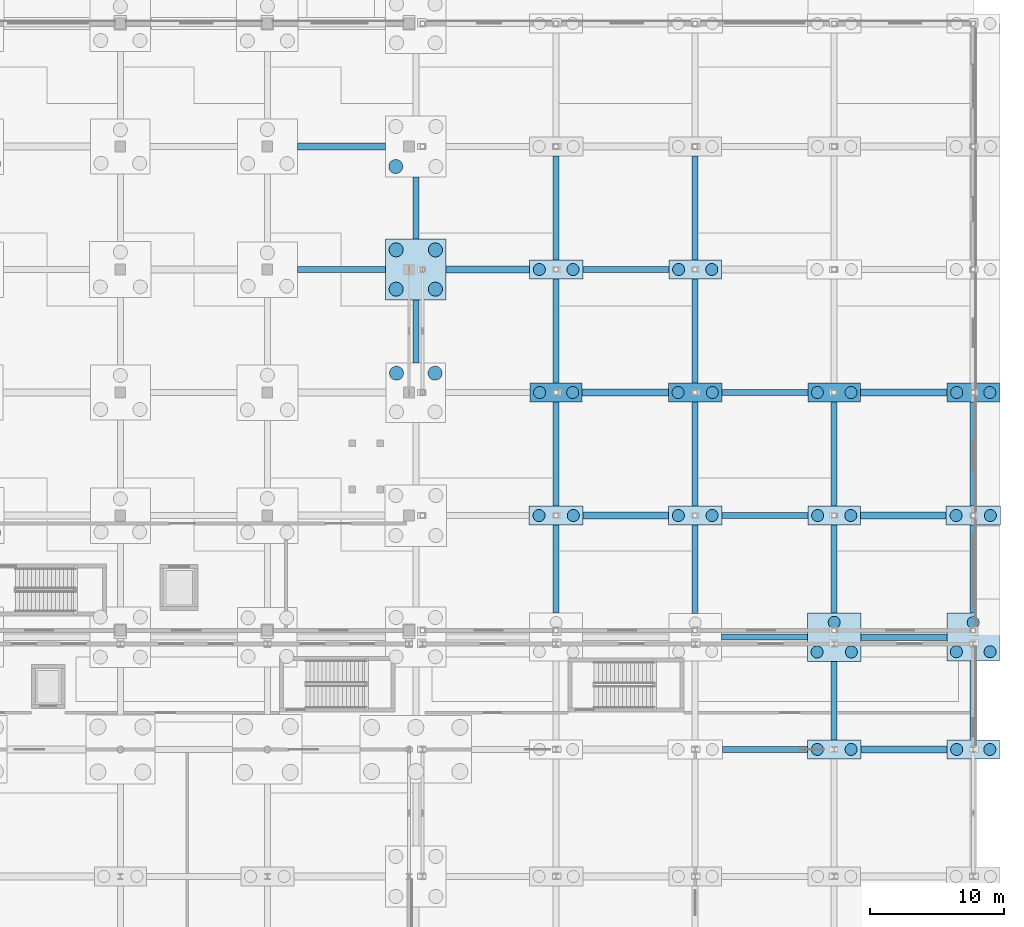
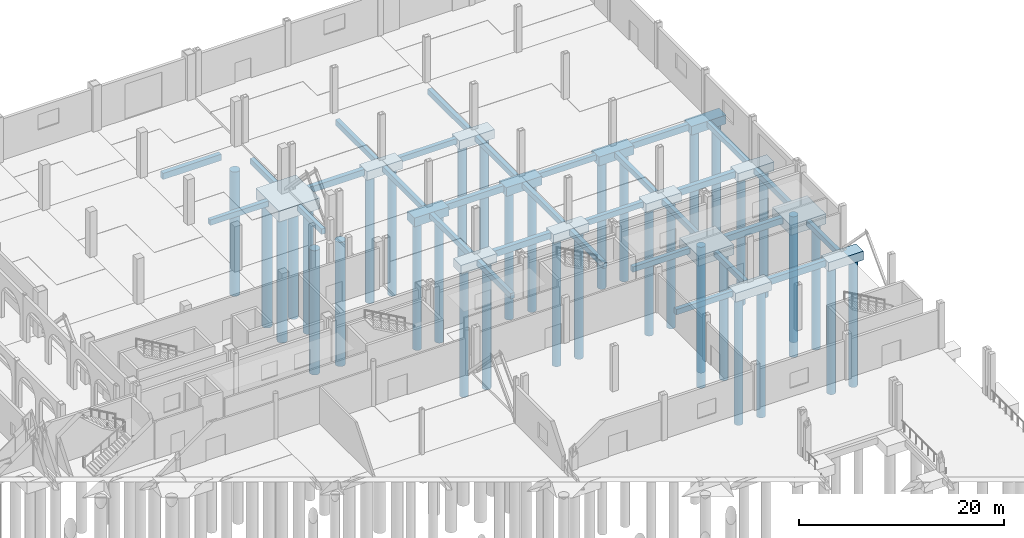
# One storey, part 13 of 83: 45 footings, 37 piles.
"""IFC4 building model written with IfcOpenShell, lengths in metres."""

from ifc_helpers import new_model, si_unit, direction, frame, origin, origin_2d, place, context, subcontext, project, spatial, polyline, circle, outline, extrude, material, material_profile, profile_set, type_object, element, save


model = new_model("IFC4")

# Units and contexts
model_context = context("Model", 3, precision=1e-05, world=origin(), true_north=direction((0.0, 1.0)))
body_context = subcontext(model_context, "Body", "Model", "MODEL_VIEW")
ifc_project = project(units=[si_unit("LENGTHUNIT", "METRE"), si_unit("AREAUNIT", "SQUARE_METRE"), si_unit("VOLUMEUNIT", "CUBIC_METRE"), si_unit("PLANEANGLEUNIT", "RADIAN"), si_unit("MASSUNIT", "GRAM", prefix="KILO")], contexts=[model_context])

# Site, building, storey
site_placement = place(None, origin())
site = spatial("IfcSite", under=ifc_project, at=site_placement, CompositionType="ELEMENT")
building_placement = place(site_placement, origin())
building = spatial("IfcBuilding", under=site, at=building_placement, Name="Caurita Quay Ferry Terminal", CompositionType="ELEMENT")
storey_placement = place(building_placement, origin())
storey = spatial("IfcBuildingStorey", under=building, at=storey_placement, Name="L00", CompositionType="ELEMENT", Elevation=0.0)

# Footings
ifc_material = material(Name="Marine reinforced concrete C40/50", Category="concrete")
footing_type_1 = type_object("IfcFootingType", Name="FTG-BM-01", PredefinedType="FOOTING_BEAM", material=ifc_material)
footing_1_placement = place(storey_placement, frame((0.0, 0.0, -1.14990234375)))
element("IfcFooting", 1, at=footing_1_placement, inside=storey, type_object=footing_type_1, Name="Seismic Tie Footing Beam FB-X-089", PredefinedType="FOOTING_BEAM", context=body_context, shape_type="SweptSolid", body=[
    extrude(outline(polyline([(165.60009765625, 62.449951171875), (172.02490234375, 62.449951171875), (172.02490234375, 62.949951171875), (165.60009765625, 62.949951171875), (165.60009765625, 62.449951171875)])), origin(), (0.0, 0.0, 1.0), 0.75),
])
footing_2_placement = place(storey_placement, frame((0.0, 0.0, -1.14990234375)))
element("IfcFooting", 2, at=footing_2_placement, inside=storey, type_object=footing_type_1, Name="Seismic Tie Footing Beam FB-X-105", PredefinedType="FOOTING_BEAM", context=body_context, shape_type="SweptSolid", body=[
    extrude(outline(polyline([(165.60009765625, 70.85009765625), (172.02490234375, 70.85009765625), (172.02490234375, 71.35009765625), (165.60009765625, 71.35009765625), (165.60009765625, 70.85009765625)])), origin(), (0.0, 0.0, 1.0), 0.75),
])
footing_3_placement = place(storey_placement, frame((0.0, 0.0, -1.14990234375)))
element("IfcFooting", 3, at=footing_3_placement, inside=storey, type_object=footing_type_1, Name="Seismic Tie Footing Beam FB-X-121", PredefinedType="FOOTING_BEAM", context=body_context, shape_type="SweptSolid", body=[
    extrude(outline(polyline([(144.824951171875, 79.949951171875), (151.199951171875, 79.949951171875), (151.199951171875, 80.449951171875), (144.824951171875, 80.449951171875), (144.824951171875, 79.949951171875)])), origin(), (0.0, 0.0, 1.0), 0.75),
])
footing_4_placement = place(storey_placement, frame((0.0, 0.0, -1.14990234375)))
element("IfcFooting", 4, at=footing_4_placement, inside=storey, type_object=footing_type_1, Name="Seismic Tie Footing Beam FB-X-123", PredefinedType="FOOTING_BEAM", context=body_context, shape_type="SweptSolid", body=[
    extrude(outline(polyline([(165.574951171875, 79.949951171875), (171.97509765625, 79.949951171875), (171.97509765625, 80.449951171875), (165.574951171875, 80.449951171875), (165.574951171875, 79.949951171875)])), origin(), (0.0, 0.0, 1.0), 0.75),
])
footing_5_placement = place(storey_placement, frame((0.0, 0.0, -1.14990234375)))
element("IfcFooting", 5, at=footing_5_placement, inside=storey, type_object=footing_type_1, Name="Seismic Tie Footing Beam FB-X-135", PredefinedType="FOOTING_BEAM", context=body_context, shape_type="SweptSolid", body=[
    extrude(outline(polyline([(144.75, 89.14990234375), (151.199951171875, 89.14990234375), (151.199951171875, 89.64990234375), (144.75, 89.64990234375), (144.75, 89.14990234375)])), origin(), (0.0, 0.0, 1.0), 0.75),
])
footing_6_placement = place(storey_placement, frame((0.0, 0.0, -1.14990234375)))
element("IfcFooting", 6, at=footing_6_placement, inside=storey, type_object=footing_type_1, Name="Seismic Tie Footing Beam FB-X-137", PredefinedType="FOOTING_BEAM", context=body_context, shape_type="SweptSolid", body=[
    extrude(outline(polyline([(165.574951171875, 89.14990234375), (172.050048828125, 89.14990234375), (172.050048828125, 89.64990234375), (165.574951171875, 89.64990234375), (165.574951171875, 89.14990234375)])), origin(), (0.0, 0.0, 1.0), 0.75),
])
footing_7_placement = place(storey_placement, frame((0.0, 0.0, -1.14990234375)))
element("IfcFooting", 7, at=footing_7_placement, inside=storey, type_object=footing_type_1, Name="Seismic Tie Footing Beam FB-X-147", PredefinedType="FOOTING_BEAM", context=body_context, shape_type="SweptSolid", body=[
    extrude(outline(polyline([(134.574951171875, 98.35009765625), (140.800048828125, 98.35009765625), (140.800048828125, 98.85009765625), (134.574951171875, 98.85009765625), (134.574951171875, 98.35009765625)])), origin(), (0.0, 0.0, 1.0), 0.75),
])
footing_8_placement = place(storey_placement, frame((0.0, 0.0, -1.14990234375)))
element("IfcFooting", 8, at=footing_8_placement, inside=storey, type_object=footing_type_1, Name="Seismic Tie Footing Beam FB-X-163", PredefinedType="FOOTING_BEAM", context=body_context, shape_type="SweptSolid", body=[
    extrude(outline(polyline([(123.449951171875, 107.550048828125), (130.02490234375, 107.550048828125), (130.02490234375, 108.050048828125), (123.449951171875, 108.050048828125), (123.449951171875, 107.550048828125)])), origin(), (0.0, 0.0, 1.0), 0.75),
])
footing_type_2 = type_object("IfcFootingType", Name="FTG-BM-02", PredefinedType="FOOTING_BEAM", material=ifc_material)
footing_9_placement = place(storey_placement, frame((0.0, 0.0, -1.050048828125)))
element("IfcFooting", 9, at=footing_9_placement, inside=storey, type_object=footing_type_2, Name="Seismic Tie Footing Beam FB-X-088", PredefinedType="FOOTING_BEAM", context=body_context, shape_type="SweptSolid", body=[
    extrude(outline(polyline([(155.22509765625, 62.47509765625), (161.60009765625, 62.47509765625), (161.60009765625, 62.925048828125), (155.22509765625, 62.925048828125), (155.22509765625, 62.47509765625)])), origin(), (0.0, 0.0, 1.0), 0.650146484375),
])
footing_10_placement = place(storey_placement, frame((0.0, 0.0, -1.050048828125)))
element("IfcFooting", 10, at=footing_10_placement, inside=storey, type_object=footing_type_2, Name="Seismic Tie Footing Beam FB-X-104", PredefinedType="FOOTING_BEAM", context=body_context, shape_type="SweptSolid", body=[
    extrude(outline(polyline([(155.14990234375, 70.875), (161.60009765625, 70.875), (161.60009765625, 71.324951171875), (155.14990234375, 71.324951171875), (155.14990234375, 70.875)])), origin(), (0.0, 0.0, 1.0), 0.650146484375),
])
footing_11_placement = place(storey_placement, frame((0.0, 0.0, -1.050048828125)))
element("IfcFooting", 11, at=footing_11_placement, inside=storey, type_object=footing_type_2, Name="Seismic Tie Footing Beam FB-X-122", PredefinedType="FOOTING_BEAM", context=body_context, shape_type="SweptSolid", body=[
    extrude(outline(polyline([(155.199951171875, 79.97509765625), (161.625, 79.97509765625), (161.625, 80.425048828125), (155.199951171875, 80.425048828125), (155.199951171875, 79.97509765625)])), origin(), (0.0, 0.0, 1.0), 0.650146484375),
])
footing_12_placement = place(storey_placement, frame((0.0, 0.0, -1.050048828125)))
element("IfcFooting", 12, at=footing_12_placement, inside=storey, type_object=footing_type_2, Name="Seismic Tie Footing Beam FB-X-136", PredefinedType="FOOTING_BEAM", context=body_context, shape_type="SweptSolid", body=[
    extrude(outline(polyline([(155.199951171875, 89.175048828125), (161.625, 89.175048828125), (161.625, 89.625), (155.199951171875, 89.625), (155.199951171875, 89.175048828125)])), origin(), (0.0, 0.0, 1.0), 0.650146484375),
])
footing_13_placement = place(storey_placement, frame((0.0, 0.0, -1.050048828125)))
element("IfcFooting", 13, at=footing_13_placement, inside=storey, type_object=footing_type_2, Name="Seismic Tie Footing Beam FB-X-146", PredefinedType="FOOTING_BEAM", context=body_context, shape_type="SweptSolid", body=[
    extrude(outline(polyline([(123.449951171875, 98.375), (130.02490234375, 98.375), (130.02490234375, 98.824951171875), (123.449951171875, 98.824951171875), (123.449951171875, 98.375)])), origin(), (0.0, 0.0, 1.0), 0.650146484375),
])
footing_14_placement = place(storey_placement, frame((0.0, 0.0, -1.050048828125)))
element("IfcFooting", 14, at=footing_14_placement, inside=storey, type_object=footing_type_2, Name="Seismic Tie Footing Beam FB-X-148", PredefinedType="FOOTING_BEAM", context=body_context, shape_type="SweptSolid", body=[
    extrude(outline(polyline([(144.800048828125, 98.375), (151.22509765625, 98.375), (151.22509765625, 98.824951171875), (144.800048828125, 98.824951171875), (144.800048828125, 98.375)])), origin(), (0.0, 0.0, 1.0), 0.650146484375),
])
footing_15_placement = place(storey_placement, frame((0.0, 0.0, -1.050048828125)))
element("IfcFooting", 15, at=footing_15_placement, inside=storey, type_object=footing_type_2, Name="Seismic Tie Footing Beam FB-Y-311", PredefinedType="FOOTING_BEAM", context=body_context, shape_type="SweptSolid", body=[
    extrude(outline(polyline([(132.074951171875, 91.625), (132.52490234375, 91.625), (132.52490234375, 96.324951171875), (132.074951171875, 96.324951171875), (132.074951171875, 91.625)])), origin(), (0.0, 0.0, 1.0), 0.650146484375),
])
footing_16_placement = place(storey_placement, frame((0.0, 0.0, -1.050048828125)))
element("IfcFooting", 16, at=footing_16_placement, inside=storey, type_object=footing_type_2, Name="Seismic Tie Footing Beam FB-Y-312", PredefinedType="FOOTING_BEAM", context=body_context, shape_type="SweptSolid", body=[
    extrude(outline(polyline([(132.074951171875, 100.875), (132.52490234375, 100.875), (132.52490234375, 105.52490234375), (132.074951171875, 105.52490234375), (132.074951171875, 100.875)])), origin(), (0.0, 0.0, 1.0), 0.650146484375),
])
footing_17_placement = place(storey_placement, frame((0.0, 0.0, -1.050048828125)))
element("IfcFooting", 17, at=footing_17_placement, inside=storey, type_object=footing_type_2, Name="Seismic Tie Footing Beam FB-Y-325", PredefinedType="FOOTING_BEAM", context=body_context, shape_type="SweptSolid", body=[
    extrude(outline(polyline([(142.574951171875, 72.89990234375), (143.02490234375, 72.89990234375), (143.02490234375, 79.47509765625), (142.574951171875, 79.47509765625), (142.574951171875, 72.89990234375)])), origin(), (0.0, 0.0, 1.0), 0.650146484375),
])
footing_18_placement = place(storey_placement, frame((0.0, 0.0, -1.050048828125)))
element("IfcFooting", 18, at=footing_18_placement, inside=storey, type_object=footing_type_2, Name="Seismic Tie Footing Beam FB-Y-326", PredefinedType="FOOTING_BEAM", context=body_context, shape_type="SweptSolid", body=[
    extrude(outline(polyline([(142.574951171875, 80.925048828125), (143.02490234375, 80.925048828125), (143.02490234375, 88.699951171875), (142.574951171875, 88.699951171875), (142.574951171875, 80.925048828125)])), origin(), (0.0, 0.0, 1.0), 0.650146484375),
])
footing_19_placement = place(storey_placement, frame((0.0, 0.0, -1.050048828125)))
element("IfcFooting", 19, at=footing_19_placement, inside=storey, type_object=footing_type_2, Name="Seismic Tie Footing Beam FB-Y-327", PredefinedType="FOOTING_BEAM", context=body_context, shape_type="SweptSolid", body=[
    extrude(outline(polyline([(142.574951171875, 90.10009765625), (143.02490234375, 90.10009765625), (143.02490234375, 97.875), (142.574951171875, 97.875), (142.574951171875, 90.10009765625)])), origin(), (0.0, 0.0, 1.0), 0.650146484375),
])
footing_20_placement = place(storey_placement, frame((0.0, 0.0, -1.050048828125)))
element("IfcFooting", 20, at=footing_20_placement, inside=storey, type_object=footing_type_2, Name="Seismic Tie Footing Beam FB-Y-328", PredefinedType="FOOTING_BEAM", context=body_context, shape_type="SweptSolid", body=[
    extrude(outline(polyline([(142.574951171875, 99.324951171875), (143.02490234375, 99.324951171875), (143.02490234375, 107.10009765625), (142.574951171875, 107.10009765625), (142.574951171875, 99.324951171875)])), origin(), (0.0, 0.0, 1.0), 0.650146484375),
])
footing_21_placement = place(storey_placement, frame((0.0, 0.0, -1.050048828125)))
element("IfcFooting", 21, at=footing_21_placement, inside=storey, type_object=footing_type_2, Name="Seismic Tie Footing Beam FB-Y-338", PredefinedType="FOOTING_BEAM", context=body_context, shape_type="SweptSolid", body=[
    extrude(outline(polyline([(152.97509765625, 72.875), (153.425048828125, 72.875), (153.425048828125, 79.47509765625), (152.97509765625, 79.47509765625), (152.97509765625, 72.875)])), origin(), (0.0, 0.0, 1.0), 0.650146484375),
])
footing_22_placement = place(storey_placement, frame((0.0, 0.0, -1.050048828125)))
element("IfcFooting", 22, at=footing_22_placement, inside=storey, type_object=footing_type_2, Name="Seismic Tie Footing Beam FB-Y-339", PredefinedType="FOOTING_BEAM", context=body_context, shape_type="SweptSolid", body=[
    extrude(outline(polyline([(152.97509765625, 80.925048828125), (153.425048828125, 80.925048828125), (153.425048828125, 88.699951171875), (152.97509765625, 88.699951171875), (152.97509765625, 80.925048828125)])), origin(), (0.0, 0.0, 1.0), 0.650146484375),
])
footing_23_placement = place(storey_placement, frame((0.0, 0.0, -1.050048828125)))
element("IfcFooting", 23, at=footing_23_placement, inside=storey, type_object=footing_type_2, Name="Seismic Tie Footing Beam FB-Y-340", PredefinedType="FOOTING_BEAM", context=body_context, shape_type="SweptSolid", body=[
    extrude(outline(polyline([(152.97509765625, 90.10009765625), (153.425048828125, 90.10009765625), (153.425048828125, 97.875), (152.97509765625, 97.875), (152.97509765625, 90.10009765625)])), origin(), (0.0, 0.0, 1.0), 0.650146484375),
])
footing_24_placement = place(storey_placement, frame((0.0, 0.0, -1.050048828125)))
element("IfcFooting", 24, at=footing_24_placement, inside=storey, type_object=footing_type_2, Name="Seismic Tie Footing Beam FB-Y-341", PredefinedType="FOOTING_BEAM", context=body_context, shape_type="SweptSolid", body=[
    extrude(outline(polyline([(152.97509765625, 99.324951171875), (153.425048828125, 99.324951171875), (153.425048828125, 107.10009765625), (152.97509765625, 107.10009765625), (152.97509765625, 99.324951171875)])), origin(), (0.0, 0.0, 1.0), 0.650146484375),
])
footing_25_placement = place(storey_placement, frame((0.0, 0.0, -1.050048828125)))
element("IfcFooting", 25, at=footing_25_placement, inside=storey, type_object=footing_type_2, Name="Seismic Tie Footing Beam FB-Y-350", PredefinedType="FOOTING_BEAM", context=body_context, shape_type="SweptSolid", body=[
    extrude(outline(polyline([(163.375, 63.425048828125), (163.824951171875, 63.425048828125), (163.824951171875, 69.27490234375), (163.375, 69.27490234375), (163.375, 63.425048828125)])), origin(), (0.0, 0.0, 1.0), 0.650146484375),
])
footing_26_placement = place(storey_placement, frame((0.0, 0.0, -1.050048828125)))
element("IfcFooting", 26, at=footing_26_placement, inside=storey, type_object=footing_type_2, Name="Seismic Tie Footing Beam FB-Y-351", PredefinedType="FOOTING_BEAM", context=body_context, shape_type="SweptSolid", body=[
    extrude(outline(polyline([(163.375, 72.925048828125), (163.824951171875, 72.925048828125), (163.824951171875, 79.47509765625), (163.375, 79.47509765625), (163.375, 72.925048828125)])), origin(), (0.0, 0.0, 1.0), 0.650146484375),
])
footing_27_placement = place(storey_placement, frame((0.0, 0.0, -1.050048828125)))
element("IfcFooting", 27, at=footing_27_placement, inside=storey, type_object=footing_type_2, Name="Seismic Tie Footing Beam FB-Y-352", PredefinedType="FOOTING_BEAM", context=body_context, shape_type="SweptSolid", body=[
    extrude(outline(polyline([(163.375, 80.925048828125), (163.824951171875, 80.925048828125), (163.824951171875, 88.699951171875), (163.375, 88.699951171875), (163.375, 80.925048828125)])), origin(), (0.0, 0.0, 1.0), 0.650146484375),
])
footing_28_placement = place(storey_placement, frame((0.0, 0.0, -1.050048828125)))
element("IfcFooting", 28, at=footing_28_placement, inside=storey, type_object=footing_type_2, Name="Seismic Tie Footing Beam FB-Y-363", PredefinedType="FOOTING_BEAM", context=body_context, shape_type="SweptSolid", body=[
    extrude(outline(polyline([(173.77490234375, 63.425048828125), (174.22509765625, 63.425048828125), (174.22509765625, 69.300048828125), (173.77490234375, 69.300048828125), (173.77490234375, 63.425048828125)])), origin(), (0.0, 0.0, 1.0), 0.650146484375),
])
footing_29_placement = place(storey_placement, frame((0.0, 0.0, -1.050048828125)))
element("IfcFooting", 29, at=footing_29_placement, inside=storey, type_object=footing_type_2, Name="Seismic Tie Footing Beam FB-Y-364", PredefinedType="FOOTING_BEAM", context=body_context, shape_type="SweptSolid", body=[
    extrude(outline(polyline([(173.77490234375, 72.89990234375), (174.22509765625, 72.89990234375), (174.22509765625, 79.47509765625), (173.77490234375, 79.47509765625), (173.77490234375, 72.89990234375)])), origin(), (0.0, 0.0, 1.0), 0.650146484375),
])
footing_30_placement = place(storey_placement, frame((0.0, 0.0, -1.050048828125)))
element("IfcFooting", 30, at=footing_30_placement, inside=storey, type_object=footing_type_2, Name="Seismic Tie Footing Beam FB-Y-365", PredefinedType="FOOTING_BEAM", context=body_context, shape_type="SweptSolid", body=[
    extrude(outline(polyline([(173.77490234375, 80.925048828125), (174.22509765625, 80.925048828125), (174.22509765625, 88.699951171875), (173.77490234375, 88.699951171875), (173.77490234375, 80.925048828125)])), origin(), (0.0, 0.0, 1.0), 0.650146484375),
])
footing_type_3 = type_object("IfcFootingType", Name="FTG-PC-08", PredefinedType="PILE_CAP", material=ifc_material)
footing_31_placement = place(storey_placement, frame((0.0, 0.0, -1.699951171875)))
element("IfcFooting", 31, at=footing_31_placement, inside=storey, type_object=footing_type_3, Name="Pile Cap PC-122", PredefinedType="PILE_CAP", context=body_context, shape_type="SweptSolid", body=[
    extrude(outline(polyline([(130.02490234375, 96.324951171875), (134.574951171875, 96.324951171875), (134.574951171875, 100.875), (130.02490234375, 100.875), (130.02490234375, 96.324951171875)])), origin(), (0.0, 0.0, 1.0), 1.300048828125),
])
footing_type_4 = type_object("IfcFootingType", Name="FTG-PC-12", PredefinedType="PILE_CAP", material=ifc_material)
footing_32_placement = place(storey_placement, frame((0.0, 0.0, -1.449951171875)))
element("IfcFooting", 32, at=footing_32_placement, inside=storey, type_object=footing_type_4, Name="Pile Cap PC-138", PredefinedType="PILE_CAP", context=body_context, shape_type="SweptSolid", body=[
    extrude(outline(polyline([(140.77490234375, 79.47509765625), (144.824951171875, 79.47509765625), (144.824951171875, 80.925048828125), (140.77490234375, 80.925048828125), (140.77490234375, 79.47509765625)])), origin(), (0.0, 0.0, 1.0), 1.050048828125),
])
footing_33_placement = place(storey_placement, frame((0.0, 0.0, -1.449951171875)))
element("IfcFooting", 33, at=footing_33_placement, inside=storey, type_object=footing_type_4, Name="Pile Cap PC-180", PredefinedType="PILE_CAP", context=body_context, shape_type="SweptSolid", body=[
    extrude(outline(polyline([(171.97509765625, 79.47509765625), (176.02490234375, 79.47509765625), (176.02490234375, 80.925048828125), (171.97509765625, 80.925048828125), (171.97509765625, 79.47509765625)])), origin(), (0.0, 0.0, 1.0), 1.050048828125),
])
footing_type_5 = type_object("IfcFootingType", Name="FTG-PC-13", PredefinedType="PILE_CAP", material=ifc_material)
footing_34_placement = place(storey_placement, frame((0.0, 0.0, -1.449951171875)))
element("IfcFooting", 34, at=footing_34_placement, inside=storey, type_object=footing_type_5, Name="Pile Cap PC-139", PredefinedType="PILE_CAP", context=body_context, shape_type="SweptSolid", body=[
    extrude(outline(polyline([(140.85009765625, 88.699951171875), (144.75, 88.699951171875), (144.75, 90.10009765625), (140.85009765625, 90.10009765625), (140.85009765625, 88.699951171875)])), origin(), (0.0, 0.0, 1.0), 1.050048828125),
])
footing_35_placement = place(storey_placement, frame((0.0, 0.0, -1.449951171875)))
element("IfcFooting", 35, at=footing_35_placement, inside=storey, type_object=footing_type_5, Name="Pile Cap PC-181", PredefinedType="PILE_CAP", context=body_context, shape_type="SweptSolid", body=[
    extrude(outline(polyline([(172.050048828125, 88.699951171875), (175.949951171875, 88.699951171875), (175.949951171875, 90.10009765625), (172.050048828125, 90.10009765625), (172.050048828125, 88.699951171875)])), origin(), (0.0, 0.0, 1.0), 1.050048828125),
])
footing_type_6 = type_object("IfcFootingType", Name="FTG-PC-18", PredefinedType="PILE_CAP", material=ifc_material)
footing_36_placement = place(storey_placement, frame((0.0, 0.0, -1.449951171875)))
element("IfcFooting", 36, at=footing_36_placement, inside=storey, type_object=footing_type_6, Name="Pile Cap PC-154", PredefinedType="PILE_CAP", context=body_context, shape_type="SweptSolid", body=[
    extrude(outline(polyline([(151.22509765625, 97.875), (155.175048828125, 97.875), (155.175048828125, 99.324951171875), (151.22509765625, 99.324951171875), (151.22509765625, 97.875)])), origin(), (0.0, 0.0, 1.0), 1.050048828125),
])
footing_37_placement = place(storey_placement, frame((0.0, 0.0, -1.449951171875)))
element("IfcFooting", 37, at=footing_37_placement, inside=storey, type_object=footing_type_6, Name="Pile Cap PC-166", PredefinedType="PILE_CAP", context=body_context, shape_type="SweptSolid", body=[
    extrude(outline(polyline([(161.625, 79.47509765625), (165.574951171875, 79.47509765625), (165.574951171875, 80.925048828125), (161.625, 80.925048828125), (161.625, 79.47509765625)])), origin(), (0.0, 0.0, 1.0), 1.050048828125),
])
footing_38_placement = place(storey_placement, frame((0.0, 0.0, -1.449951171875)))
element("IfcFooting", 38, at=footing_38_placement, inside=storey, type_object=footing_type_6, Name="Pile Cap PC-178", PredefinedType="PILE_CAP", context=body_context, shape_type="SweptSolid", body=[
    extrude(outline(polyline([(172.02490234375, 61.97509765625), (175.97509765625, 61.97509765625), (175.97509765625, 63.425048828125), (172.02490234375, 63.425048828125), (172.02490234375, 61.97509765625)])), origin(), (0.0, 0.0, 1.0), 1.050048828125),
])
footing_type_7 = type_object("IfcFootingType", Name="FTG-PC-19", PredefinedType="PILE_CAP", material=ifc_material)
footing_39_placement = place(storey_placement, frame((0.0, 0.0, -1.449951171875)))
element("IfcFooting", 39, at=footing_39_placement, inside=storey, type_object=footing_type_7, Name="Pile Cap PC-167", PredefinedType="PILE_CAP", context=body_context, shape_type="SweptSolid", body=[
    extrude(outline(polyline([(161.625, 88.699951171875), (165.574951171875, 88.699951171875), (165.574951171875, 90.10009765625), (161.625, 90.10009765625), (161.625, 88.699951171875)])), origin(), (0.0, 0.0, 1.0), 1.050048828125),
])
footing_type_8 = type_object("IfcFootingType", Name="FTG-PC-22", PredefinedType="PILE_CAP", material=ifc_material)
footing_40_placement = place(storey_placement, frame((0.0, 0.0, -1.449951171875)))
element("IfcFooting", 40, at=footing_40_placement, inside=storey, type_object=footing_type_8, Name="Pile Cap PC-140", PredefinedType="PILE_CAP", context=body_context, shape_type="SweptSolid", body=[
    extrude(outline(polyline([(140.800048828125, 97.875), (144.800048828125, 97.875), (144.800048828125, 99.324951171875), (140.800048828125, 99.324951171875), (140.800048828125, 97.875)])), origin(), (0.0, 0.0, 1.0), 1.050048828125),
])
footing_41_placement = place(storey_placement, frame((0.0, 0.0, -1.449951171875)))
element("IfcFooting", 41, at=footing_41_placement, inside=storey, type_object=footing_type_8, Name="Pile Cap PC-152", PredefinedType="PILE_CAP", context=body_context, shape_type="SweptSolid", body=[
    extrude(outline(polyline([(151.199951171875, 79.47509765625), (155.199951171875, 79.47509765625), (155.199951171875, 80.925048828125), (151.199951171875, 80.925048828125), (151.199951171875, 79.47509765625)])), origin(), (0.0, 0.0, 1.0), 1.050048828125),
])
footing_42_placement = place(storey_placement, frame((0.0, 0.0, -1.449951171875)))
element("IfcFooting", 42, at=footing_42_placement, inside=storey, type_object=footing_type_8, Name="Pile Cap PC-164", PredefinedType="PILE_CAP", context=body_context, shape_type="SweptSolid", body=[
    extrude(outline(polyline([(161.60009765625, 61.97509765625), (165.60009765625, 61.97509765625), (165.60009765625, 63.425048828125), (161.60009765625, 63.425048828125), (161.60009765625, 61.97509765625)])), origin(), (0.0, 0.0, 1.0), 1.050048828125),
])
footing_type_9 = type_object("IfcFootingType", Name="FTG-PC-23", PredefinedType="PILE_CAP", material=ifc_material)
footing_43_placement = place(storey_placement, frame((0.0, 0.0, -1.449951171875)))
element("IfcFooting", 43, at=footing_43_placement, inside=storey, type_object=footing_type_9, Name="Pile Cap PC-153", PredefinedType="PILE_CAP", context=body_context, shape_type="SweptSolid", body=[
    extrude(outline(polyline([(151.199951171875, 88.699951171875), (155.199951171875, 88.699951171875), (155.199951171875, 90.10009765625), (151.199951171875, 90.10009765625), (151.199951171875, 88.699951171875)])), origin(), (0.0, 0.0, 1.0), 1.050048828125),
])
footing_type_10 = type_object("IfcFootingType", Name="FTG-PC-38", PredefinedType="PILE_CAP", material=ifc_material)
footing_44_placement = place(storey_placement, frame((0.0, 0.0, -1.60009765625)))
element("IfcFooting", 44, at=footing_44_placement, inside=storey, type_object=footing_type_10, Name="Pile Cap PC-179", PredefinedType="PILE_CAP", context=body_context, shape_type="SweptSolid", body=[
    extrude(outline(polyline([(172.02490234375, 69.300048828125), (175.97509765625, 69.300048828125), (175.97509765625, 72.89990234375), (172.02490234375, 72.89990234375), (172.02490234375, 69.300048828125)])), origin(), (0.0, 0.0, 1.0), 1.2001953125),
])
footing_type_11 = type_object("IfcFootingType", Name="FTG-PC-40", PredefinedType="PILE_CAP", material=ifc_material)
footing_45_placement = place(storey_placement, frame((0.0, 0.0, -1.60009765625)))
element("IfcFooting", 45, at=footing_45_placement, inside=storey, type_object=footing_type_11, Name="Pile Cap PC-165", PredefinedType="PILE_CAP", context=body_context, shape_type="SweptSolid", body=[
    extrude(outline(polyline([(161.60009765625, 69.27490234375), (165.60009765625, 69.27490234375), (165.60009765625, 72.925048828125), (161.60009765625, 72.925048828125), (161.60009765625, 69.27490234375)])), origin(), (0.0, 0.0, 1.0), 1.2001953125),
])

# Piles
ifc_material_profile_1 = material_profile(ifc_material, circle(Radius=0.52490234375, at=origin_2d()), Name="PILE-D1050")
ifc_profile_set_1 = profile_set([ifc_material_profile_1], Name="Marine reinforced concrete C40/50")
pile_type_1 = type_object("IfcPileType", Name="TYPE-PL-1050", PredefinedType="BORED", material=ifc_profile_set_1)
for number, where, z_axis, x_axis, name in (
    (46, (130.85595703125, 90.843994140625, -1.699951171875), (0.0, 0.0, -1.0), (1.0, 0.0, 0.0), "Bored Marine Pile PC-121-P3"),
    (47, (133.743896484375, 90.843994140625, -1.699951171875), (0.0, 0.0, -1.0), (1.0, 0.0, 0.0), "Bored Marine Pile PC-121-P4"),
):
    element("IfcPile", number, at=place(storey_placement, frame(where, z_axis=z_axis, x_axis=x_axis)), inside=storey, type_object=pile_type_1, Name=name, PredefinedType="BORED", context=body_context, shape_type="SweptSolid", body=[
        extrude(circle(Radius=0.52490234375, at=origin_2d()), origin(), (0.0, 0.0, 1.0), 14.800048828125),
    ])
for number, where, z_axis, x_axis, name in (
    (48, (130.830078125, 97.1298828125, -1.60009765625), (0.0, 0.0, -1.0), (1.0, 0.0, 0.0), "Bored Marine Pile PC-122-P1"),
    (49, (133.77001953125, 97.1298828125, -1.60009765625), (0.0, 0.0, -1.0), (1.0, 0.0, 0.0), "Bored Marine Pile PC-122-P2"),
    (50, (130.830078125, 100.070068359375, -1.60009765625), (0.0, 0.0, -1.0), (1.0, 0.0, 0.0), "Bored Marine Pile PC-122-P3"),
    (51, (133.77001953125, 100.070068359375, -1.60009765625), (0.0, 0.0, -1.0), (1.0, 0.0, 0.0), "Bored Marine Pile PC-122-P4"),
):
    element("IfcPile", number, at=place(storey_placement, frame(where, z_axis=z_axis, x_axis=x_axis)), inside=storey, type_object=pile_type_1, Name=name, PredefinedType="BORED", context=body_context, shape_type="SweptSolid", body=[
        extrude(circle(Radius=0.52490234375, at=origin_2d()), origin(), (0.0, 0.0, 1.0), 14.89990234375),
    ])
pile_placement = place(storey_placement, frame((130.803955078125, 106.302978515625, -1.699951171875), z_axis=(0.0, 0.0, -1.0), x_axis=(1.0, 0.0, 0.0)))
element("IfcPile", 52, at=pile_placement, inside=storey, type_object=pile_type_1, Name="Bored Marine Pile PC-123-P1", PredefinedType="BORED", context=body_context, shape_type="SweptSolid", body=[
    extrude(circle(Radius=0.52490234375, at=origin_2d()), origin(), (0.0, 0.0, 1.0), 14.800048828125),
])
ifc_material_profile_2 = material_profile(ifc_material, circle(Radius=0.449951171875, at=origin_2d()), Name="PILE-D900")
ifc_profile_set_2 = profile_set([ifc_material_profile_2], Name="Marine reinforced concrete C40/50")
pile_type_2 = type_object("IfcPileType", Name="TYPE-PL-900", PredefinedType="BORED", material=ifc_profile_set_2)
for number, where, z_axis, x_axis, name in (
    (53, (141.51806640625, 80.199951171875, -1.35009765625), (0.0, 0.0, -1.0), (1.0, 0.0, 0.0), "Bored Marine Pile PC-138-P1"),
    (54, (144.0830078125, 80.199951171875, -1.35009765625), (0.0, 0.0, -1.0), (1.0, 0.0, 0.0), "Bored Marine Pile PC-138-P2"),
    (55, (141.56201171875, 89.39990234375, -1.35009765625), (0.0, 0.0, -1.0), (1.0, 0.0, 0.0), "Bored Marine Pile PC-139-P1"),
    (56, (144.0380859375, 89.39990234375, -1.35009765625), (0.0, 0.0, -1.0), (1.0, 0.0, 0.0), "Bored Marine Pile PC-139-P2"),
    (57, (141.5400390625, 98.60009765625, -1.35009765625), (0.0, 0.0, -1.0), (1.0, 0.0, 0.0), "Bored Marine Pile PC-140-P1"),
    (58, (144.06005859375, 98.60009765625, -1.35009765625), (0.0, 0.0, -1.0), (1.0, 0.0, 0.0), "Bored Marine Pile PC-140-P2"),
    (59, (151.93994140625, 80.199951171875, -1.35009765625), (0.0, 0.0, -1.0), (1.0, 0.0, 0.0), "Bored Marine Pile PC-152-P1"),
    (60, (154.4599609375, 80.199951171875, -1.35009765625), (0.0, 0.0, -1.0), (1.0, 0.0, 0.0), "Bored Marine Pile PC-152-P2"),
    (61, (151.9169921875, 89.39990234375, -1.35009765625), (0.0, 0.0, -1.0), (1.0, 0.0, 0.0), "Bored Marine Pile PC-153-P1"),
    (62, (154.48193359375, 89.39990234375, -1.35009765625), (0.0, 0.0, -1.0), (1.0, 0.0, 0.0), "Bored Marine Pile PC-153-P2"),
    (63, (151.9619140625, 98.60009765625, -1.35009765625), (0.0, 0.0, -1.0), (1.0, 0.0, 0.0), "Bored Marine Pile PC-154-P1"),
    (64, (154.43798828125, 98.60009765625, -1.35009765625), (0.0, 0.0, -1.0), (1.0, 0.0, 0.0), "Bored Marine Pile PC-154-P2"),
    (65, (162.340087890625, 62.699951171875, -1.35009765625), (0.0, 0.0, -1.0), (1.0, 0.0, 0.0), "Bored Marine Pile PC-164-P1"),
    (66, (164.860107421875, 62.699951171875, -1.35009765625), (0.0, 0.0, -1.0), (1.0, 0.0, 0.0), "Bored Marine Pile PC-164-P2"),
):
    element("IfcPile", number, at=place(storey_placement, frame(where, z_axis=z_axis, x_axis=x_axis)), inside=storey, type_object=pile_type_2, Name=name, PredefinedType="BORED", context=body_context, shape_type="SweptSolid", body=[
        extrude(circle(Radius=0.449951171875, at=origin_2d()), origin(), (0.0, 0.0, 1.0), 15.14990234375),
    ])
for number, where, z_axis, x_axis, name in (
    (67, (162.31689453125, 69.989013671875, -1.5), (0.0, 0.0, -1.0), (1.0, 0.0, 0.0), "Bored Marine Pile PC-165-P1"),
    (68, (164.882080078125, 69.989013671875, -1.5), (0.0, 0.0, -1.0), (1.0, 0.0, 0.0), "Bored Marine Pile PC-165-P2"),
    (69, (163.60009765625, 72.2109375, -1.5), (0.0, 0.0, -1.0), (1.0, 0.0, 0.0), "Bored Marine Pile PC-165-P3"),
):
    element("IfcPile", number, at=place(storey_placement, frame(where, z_axis=z_axis, x_axis=x_axis)), inside=storey, type_object=pile_type_2, Name=name, PredefinedType="BORED", context=body_context, shape_type="SweptSolid", body=[
        extrude(circle(Radius=0.449951171875, at=origin_2d()), origin(), (0.0, 0.0, 1.0), 15.0),
    ])
for number, where, z_axis, x_axis, name in (
    (70, (162.362060546875, 80.199951171875, -1.35009765625), (0.0, 0.0, -1.0), (1.0, 0.0, 0.0), "Bored Marine Pile PC-166-P1"),
    (71, (164.837890625, 80.199951171875, -1.35009765625), (0.0, 0.0, -1.0), (1.0, 0.0, 0.0), "Bored Marine Pile PC-166-P2"),
    (72, (162.340087890625, 89.39990234375, -1.35009765625), (0.0, 0.0, -1.0), (1.0, 0.0, 0.0), "Bored Marine Pile PC-167-P1"),
    (73, (164.860107421875, 89.39990234375, -1.35009765625), (0.0, 0.0, -1.0), (1.0, 0.0, 0.0), "Bored Marine Pile PC-167-P2"),
    (74, (172.761962890625, 62.699951171875, -1.35009765625), (0.0, 0.0, -1.0), (1.0, 0.0, 0.0), "Bored Marine Pile PC-178-P1"),
    (75, (175.238037109375, 62.699951171875, -1.35009765625), (0.0, 0.0, -1.0), (1.0, 0.0, 0.0), "Bored Marine Pile PC-178-P2"),
):
    element("IfcPile", number, at=place(storey_placement, frame(where, z_axis=z_axis, x_axis=x_axis)), inside=storey, type_object=pile_type_2, Name=name, PredefinedType="BORED", context=body_context, shape_type="SweptSolid", body=[
        extrude(circle(Radius=0.449951171875, at=origin_2d()), origin(), (0.0, 0.0, 1.0), 15.14990234375),
    ])
for number, where, z_axis, x_axis, name in (
    (76, (172.739990234375, 70.009033203125, -1.5), (0.0, 0.0, -1.0), (1.0, 0.0, 0.0), "Bored Marine Pile PC-179-P1"),
    (77, (175.260009765625, 70.009033203125, -1.5), (0.0, 0.0, -1.0), (1.0, 0.0, 0.0), "Bored Marine Pile PC-179-P2"),
    (78, (174.0, 72.19091796875, -1.5), (0.0, 0.0, -1.0), (1.0, 0.0, 0.0), "Bored Marine Pile PC-179-P3"),
):
    element("IfcPile", number, at=place(storey_placement, frame(where, z_axis=z_axis, x_axis=x_axis)), inside=storey, type_object=pile_type_2, Name=name, PredefinedType="BORED", context=body_context, shape_type="SweptSolid", body=[
        extrude(circle(Radius=0.449951171875, at=origin_2d()), origin(), (0.0, 0.0, 1.0), 15.0),
    ])
for number, where, z_axis, x_axis, name in (
    (79, (172.718017578125, 80.199951171875, -1.35009765625), (0.0, 0.0, -1.0), (1.0, 0.0, 0.0), "Bored Marine Pile PC-180-P1"),
    (80, (175.281982421875, 80.199951171875, -1.35009765625), (0.0, 0.0, -1.0), (1.0, 0.0, 0.0), "Bored Marine Pile PC-180-P2"),
    (81, (172.761962890625, 89.39990234375, -1.35009765625), (0.0, 0.0, -1.0), (1.0, 0.0, 0.0), "Bored Marine Pile PC-181-P1"),
    (82, (175.238037109375, 89.39990234375, -1.35009765625), (0.0, 0.0, -1.0), (1.0, 0.0, 0.0), "Bored Marine Pile PC-181-P2"),
):
    element("IfcPile", number, at=place(storey_placement, frame(where, z_axis=z_axis, x_axis=x_axis)), inside=storey, type_object=pile_type_2, Name=name, PredefinedType="BORED", context=body_context, shape_type="SweptSolid", body=[
        extrude(circle(Radius=0.449951171875, at=origin_2d()), origin(), (0.0, 0.0, 1.0), 15.14990234375),
    ])

save(model, "model.ifc")
